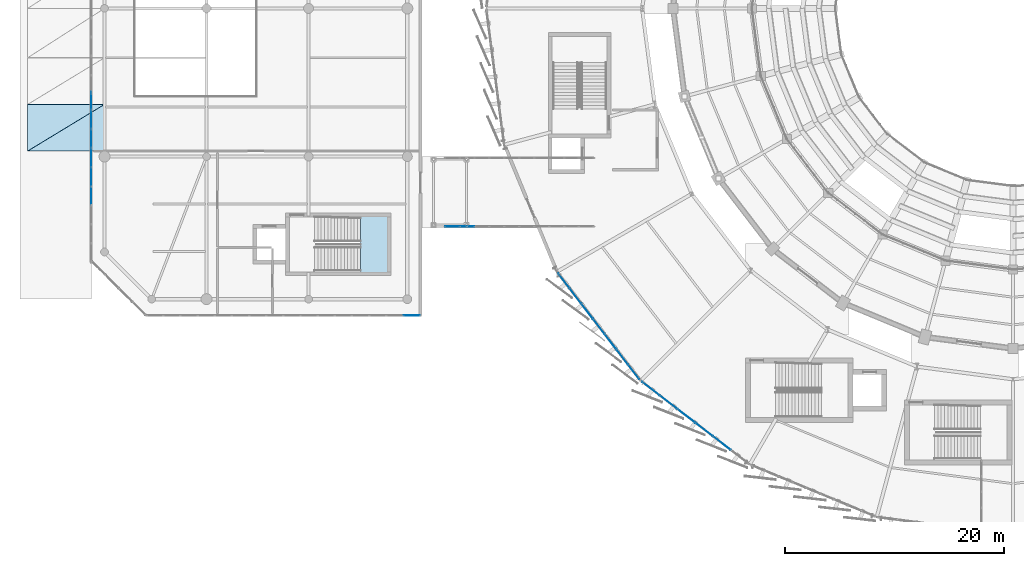
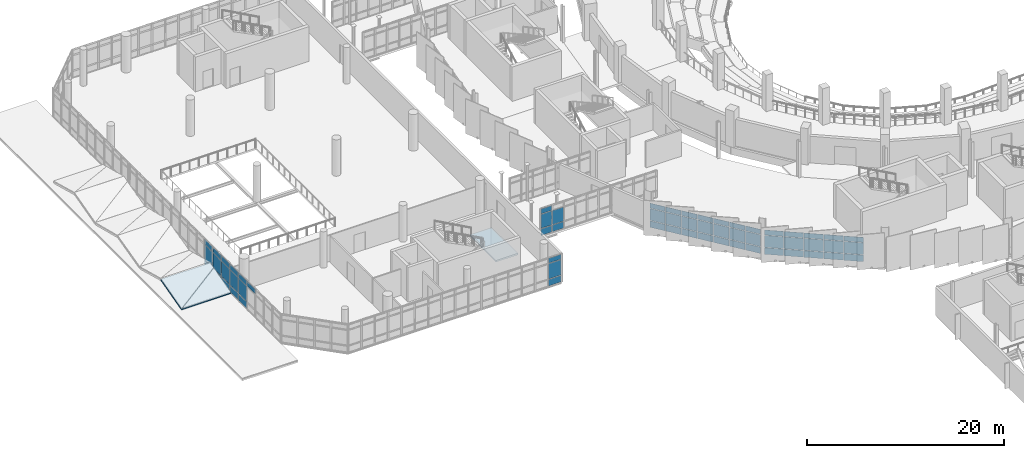
# One storey, part 83 of 134: 60 plates, 3 slabs, 6 elements without a shape of their own.
"""IFC4 building model written with IfcOpenShell, lengths in metres."""

from ifc_helpers import new_model, si_unit, direction, frame, origin, origin_2d, place, context, subcontext, project, spatial, polyline, rectangle, outline, extrude, material, layer, layer_set, type_object, element, aggregate, save


model = new_model("IFC4")

# Units and contexts
model_context = context("Model", 3, precision=1e-05, world=origin(), true_north=direction((0.0, 1.0)))
body_context = subcontext(model_context, "Body", "Model", "MODEL_VIEW")
ifc_project = project(units=[si_unit("LENGTHUNIT", "METRE"), si_unit("AREAUNIT", "SQUARE_METRE"), si_unit("VOLUMEUNIT", "CUBIC_METRE"), si_unit("PLANEANGLEUNIT", "RADIAN"), si_unit("MASSUNIT", "GRAM", prefix="KILO")], contexts=[model_context])

# Site, building, storey
site_placement = place(None, origin())
site = spatial("IfcSite", under=ifc_project, at=site_placement, CompositionType="ELEMENT")
building_placement = place(site_placement, origin())
building = spatial("IfcBuilding", under=site, at=building_placement, Name="Sohan Crest Arena", CompositionType="ELEMENT")
storey_placement = place(building_placement, frame((0.0, 0.0, 4.5)))
storey = spatial("IfcBuildingStorey", under=building, at=storey_placement, Name="L01", CompositionType="ELEMENT", Elevation=4.5)

# Curtain wall, plates
ifc_material_1 = material(Name="Thermally broken anodised aluminium", Category="aluminium")
ifc_layer_1 = layer(ifc_material_1, 0.219970703125, Name="Thermally broken anodised aluminium")
ifc_layer_set_1 = layer_set([ifc_layer_1], Name="Thermally broken anodised aluminium")
curtain_wall_type_1 = type_object("IfcCurtainWallType", Name="ARC-CW03", PredefinedType="NOTDEFINED", material=ifc_layer_set_1)
curtain_wall_1_placement = place(storey_placement, origin())
curtain_wall_1 = element("IfcCurtainWall", 1, at=curtain_wall_1_placement, inside=storey, type_object=curtain_wall_type_1, Name="Unitised curtain wall CW-026", PredefinedType="NOTDEFINED")
ifc_material_2 = material(Name="Low-E double-glazed insulated glass", Category="glass")
ifc_layer_2 = layer(ifc_material_2, 0.028076171875, Name="Low-E double-glazed insulated glass")
ifc_layer_set_2 = layer_set([ifc_layer_2], Name="Low-E double-glazed insulated glass")
plate_type_1 = type_object("IfcPlateType", Name="ARC-CNP01", PredefinedType="CURTAIN_PANEL", material=ifc_layer_set_2)
plate_1_placement = place(storey_placement, frame((57.052734375, 53.189697265625, 0.070068359375), z_axis=(0.0, 0.0, 1.0), x_axis=(0.608765110447, -0.793350515411, 0.0)))
plate_1 = element("IfcPlate", 2, at=plate_1_placement, type_object=plate_type_1, Name="CW-026 panel 1.1", PredefinedType="CURTAIN_PANEL", context=body_context, shape_type="SweptSolid", body=[
    extrude(rectangle(XDim=1.662841796875, YDim=0.028076171875, at=origin_2d()), origin(), (0.0, 0.0, 1.0), 0.794921875),
])
plate_2_placement = place(storey_placement, frame((57.052734375, 53.189697265625, 0.93505859375), z_axis=(0.0, 0.0, 1.0), x_axis=(0.608765110447, -0.793350515411, 0.0)))
plate_2 = element("IfcPlate", 3, at=plate_2_placement, type_object=plate_type_1, Name="CW-026 panel 1.2", PredefinedType="CURTAIN_PANEL", context=body_context, shape_type="SweptSolid", body=[
    extrude(rectangle(XDim=1.662841796875, YDim=0.028076171875, at=origin_2d()), origin(), (0.0, 0.0, 1.0), 1.449951171875),
])
plate_3_placement = place(storey_placement, frame((57.052734375, 53.189697265625, 2.455078125), z_axis=(0.0, 0.0, 1.0), x_axis=(0.608765110447, -0.793350515411, 0.0)))
plate_3 = element("IfcPlate", 4, at=plate_3_placement, type_object=plate_type_1, Name="CW-026 panel 1.3", PredefinedType="CURTAIN_PANEL", context=body_context, shape_type="SweptSolid", body=[
    extrude(rectangle(XDim=1.662841796875, YDim=0.028076171875, at=origin_2d()), origin(), (0.0, 0.0, 1.0), 0.594970703125),
])
plate_4_placement = place(storey_placement, frame((58.110595703125, 51.81103515625, 0.070068359375), z_axis=(0.0, 0.0, 1.0), x_axis=(0.608765110447, -0.793350515411, 0.0)))
plate_4 = element("IfcPlate", 5, at=plate_4_placement, type_object=plate_type_1, Name="CW-026 panel 2.1", PredefinedType="CURTAIN_PANEL", context=body_context, shape_type="SweptSolid", body=[
    extrude(rectangle(XDim=1.69287109375, YDim=0.028076171875, at=origin_2d()), origin(), (0.0, 0.0, 1.0), 0.794921875),
])
plate_5_placement = place(storey_placement, frame((58.110595703125, 51.81103515625, 0.93505859375), z_axis=(0.0, 0.0, 1.0), x_axis=(0.608765110447, -0.793350515411, 0.0)))
plate_5 = element("IfcPlate", 6, at=plate_5_placement, type_object=plate_type_1, Name="CW-026 panel 2.2", PredefinedType="CURTAIN_PANEL", context=body_context, shape_type="SweptSolid", body=[
    extrude(rectangle(XDim=1.69287109375, YDim=0.028076171875, at=origin_2d()), origin(), (0.0, 0.0, 1.0), 1.449951171875),
])
plate_6_placement = place(storey_placement, frame((58.110595703125, 51.81103515625, 2.455078125), z_axis=(0.0, 0.0, 1.0), x_axis=(0.608765110447, -0.793350515411, 0.0)))
plate_6 = element("IfcPlate", 7, at=plate_6_placement, type_object=plate_type_1, Name="CW-026 panel 2.3", PredefinedType="CURTAIN_PANEL", context=body_context, shape_type="SweptSolid", body=[
    extrude(rectangle(XDim=1.69287109375, YDim=0.028076171875, at=origin_2d()), origin(), (0.0, 0.0, 1.0), 0.594970703125),
])
plate_7_placement = place(storey_placement, frame((59.177978515625, 50.420166015625, 0.070068359375), z_axis=(0.0, 0.0, 1.0), x_axis=(0.608765110447, -0.793350515411, 0.0)))
plate_7 = element("IfcPlate", 8, at=plate_7_placement, type_object=plate_type_1, Name="CW-026 panel 3.1", PredefinedType="CURTAIN_PANEL", context=body_context, shape_type="SweptSolid", body=[
    extrude(rectangle(XDim=1.69287109375, YDim=0.028076171875, at=origin_2d()), origin(), (0.0, 0.0, 1.0), 0.794921875),
])
plate_8_placement = place(storey_placement, frame((59.177978515625, 50.420166015625, 0.93505859375), z_axis=(0.0, 0.0, 1.0), x_axis=(0.608765110447, -0.793350515411, 0.0)))
plate_8 = element("IfcPlate", 9, at=plate_8_placement, type_object=plate_type_1, Name="CW-026 panel 3.2", PredefinedType="CURTAIN_PANEL", context=body_context, shape_type="SweptSolid", body=[
    extrude(rectangle(XDim=1.69287109375, YDim=0.028076171875, at=origin_2d()), origin(), (0.0, 0.0, 1.0), 1.449951171875),
])
plate_9_placement = place(storey_placement, frame((59.177978515625, 50.420166015625, 2.455078125), z_axis=(0.0, 0.0, 1.0), x_axis=(0.608765110447, -0.793350515411, 0.0)))
plate_9 = element("IfcPlate", 10, at=plate_9_placement, type_object=plate_type_1, Name="CW-026 panel 3.3", PredefinedType="CURTAIN_PANEL", context=body_context, shape_type="SweptSolid", body=[
    extrude(rectangle(XDim=1.69287109375, YDim=0.028076171875, at=origin_2d()), origin(), (0.0, 0.0, 1.0), 0.594970703125),
])
plate_10_placement = place(storey_placement, frame((60.2451171875, 49.029541015625, 0.070068359375), z_axis=(0.0, 0.0, 1.0), x_axis=(0.608765110447, -0.793350515411, 0.0)))
plate_10 = element("IfcPlate", 11, at=plate_10_placement, type_object=plate_type_1, Name="CW-026 panel 4.1", PredefinedType="CURTAIN_PANEL", context=body_context, shape_type="SweptSolid", body=[
    extrude(rectangle(XDim=1.69287109375, YDim=0.028076171875, at=origin_2d()), origin(), (0.0, 0.0, 1.0), 0.794921875),
])
plate_11_placement = place(storey_placement, frame((60.2451171875, 49.029541015625, 0.93505859375), z_axis=(0.0, 0.0, 1.0), x_axis=(0.608765110447, -0.793350515411, 0.0)))
plate_11 = element("IfcPlate", 12, at=plate_11_placement, type_object=plate_type_1, Name="CW-026 panel 4.2", PredefinedType="CURTAIN_PANEL", context=body_context, shape_type="SweptSolid", body=[
    extrude(rectangle(XDim=1.69287109375, YDim=0.028076171875, at=origin_2d()), origin(), (0.0, 0.0, 1.0), 1.449951171875),
])
plate_12_placement = place(storey_placement, frame((60.2451171875, 49.029541015625, 2.455078125), z_axis=(0.0, 0.0, 1.0), x_axis=(0.608765110447, -0.793350515411, 0.0)))
plate_12 = element("IfcPlate", 13, at=plate_12_placement, type_object=plate_type_1, Name="CW-026 panel 4.3", PredefinedType="CURTAIN_PANEL", context=body_context, shape_type="SweptSolid", body=[
    extrude(rectangle(XDim=1.69287109375, YDim=0.028076171875, at=origin_2d()), origin(), (0.0, 0.0, 1.0), 0.594970703125),
])
plate_13_placement = place(storey_placement, frame((61.312255859375, 47.638671875, 0.070068359375), z_axis=(0.0, 0.0, 1.0), x_axis=(0.608765110447, -0.793350515411, 0.0)))
plate_13 = element("IfcPlate", 14, at=plate_13_placement, type_object=plate_type_1, Name="CW-026 panel 5.1", PredefinedType="CURTAIN_PANEL", context=body_context, shape_type="SweptSolid", body=[
    extrude(rectangle(XDim=1.69287109375, YDim=0.028076171875, at=origin_2d()), origin(), (0.0, 0.0, 1.0), 0.794921875),
])
plate_14_placement = place(storey_placement, frame((61.312255859375, 47.638671875, 0.93505859375), z_axis=(0.0, 0.0, 1.0), x_axis=(0.608765110447, -0.793350515411, 0.0)))
plate_14 = element("IfcPlate", 15, at=plate_14_placement, type_object=plate_type_1, Name="CW-026 panel 5.2", PredefinedType="CURTAIN_PANEL", context=body_context, shape_type="SweptSolid", body=[
    extrude(rectangle(XDim=1.69287109375, YDim=0.028076171875, at=origin_2d()), origin(), (0.0, 0.0, 1.0), 1.449951171875),
])
plate_15_placement = place(storey_placement, frame((61.312255859375, 47.638671875, 2.455078125), z_axis=(0.0, 0.0, 1.0), x_axis=(0.608765110447, -0.793350515411, 0.0)))
plate_15 = element("IfcPlate", 16, at=plate_15_placement, type_object=plate_type_1, Name="CW-026 panel 5.3", PredefinedType="CURTAIN_PANEL", context=body_context, shape_type="SweptSolid", body=[
    extrude(rectangle(XDim=1.69287109375, YDim=0.028076171875, at=origin_2d()), origin(), (0.0, 0.0, 1.0), 0.594970703125),
])
plate_16_placement = place(storey_placement, frame((62.37939453125, 46.248046875, 0.070068359375), z_axis=(0.0, 0.0, 1.0), x_axis=(0.608765110447, -0.793350515411, 0.0)))
plate_16 = element("IfcPlate", 17, at=plate_16_placement, type_object=plate_type_1, Name="CW-026 panel 6.1", PredefinedType="CURTAIN_PANEL", context=body_context, shape_type="SweptSolid", body=[
    extrude(rectangle(XDim=1.69287109375, YDim=0.028076171875, at=origin_2d()), origin(), (0.0, 0.0, 1.0), 0.794921875),
])
plate_17_placement = place(storey_placement, frame((62.37939453125, 46.248046875, 0.93505859375), z_axis=(0.0, 0.0, 1.0), x_axis=(0.608765110447, -0.793350515411, 0.0)))
plate_17 = element("IfcPlate", 18, at=plate_17_placement, type_object=plate_type_1, Name="CW-026 panel 6.2", PredefinedType="CURTAIN_PANEL", context=body_context, shape_type="SweptSolid", body=[
    extrude(rectangle(XDim=1.69287109375, YDim=0.028076171875, at=origin_2d()), origin(), (0.0, 0.0, 1.0), 1.449951171875),
])
plate_18_placement = place(storey_placement, frame((62.37939453125, 46.248046875, 2.455078125), z_axis=(0.0, 0.0, 1.0), x_axis=(0.608765110447, -0.793350515411, 0.0)))
plate_18 = element("IfcPlate", 19, at=plate_18_placement, type_object=plate_type_1, Name="CW-026 panel 6.3", PredefinedType="CURTAIN_PANEL", context=body_context, shape_type="SweptSolid", body=[
    extrude(rectangle(XDim=1.69287109375, YDim=0.028076171875, at=origin_2d()), origin(), (0.0, 0.0, 1.0), 0.594970703125),
])
plate_19_placement = place(storey_placement, frame((63.437255859375, 44.869140625, 0.070068359375), z_axis=(0.0, 0.0, 1.0), x_axis=(0.608765110447, -0.793350515411, 0.0)))
plate_19 = element("IfcPlate", 20, at=plate_19_placement, type_object=plate_type_1, Name="CW-026 panel 7.1", PredefinedType="CURTAIN_PANEL", context=body_context, shape_type="SweptSolid", body=[
    extrude(rectangle(XDim=1.662841796875, YDim=0.028076171875, at=origin_2d()), origin(), (0.0, 0.0, 1.0), 0.794921875),
])
plate_20_placement = place(storey_placement, frame((63.437255859375, 44.869140625, 0.93505859375), z_axis=(0.0, 0.0, 1.0), x_axis=(0.608765110447, -0.793350515411, 0.0)))
plate_20 = element("IfcPlate", 21, at=plate_20_placement, type_object=plate_type_1, Name="CW-026 panel 7.2", PredefinedType="CURTAIN_PANEL", context=body_context, shape_type="SweptSolid", body=[
    extrude(rectangle(XDim=1.662841796875, YDim=0.028076171875, at=origin_2d()), origin(), (0.0, 0.0, 1.0), 1.449951171875),
])
plate_21_placement = place(storey_placement, frame((63.437255859375, 44.869140625, 2.455078125), z_axis=(0.0, 0.0, 1.0), x_axis=(0.608765110447, -0.793350515411, 0.0)))
plate_21 = element("IfcPlate", 22, at=plate_21_placement, type_object=plate_type_1, Name="CW-026 panel 7.3", PredefinedType="CURTAIN_PANEL", context=body_context, shape_type="SweptSolid", body=[
    extrude(rectangle(XDim=1.662841796875, YDim=0.028076171875, at=origin_2d()), origin(), (0.0, 0.0, 1.0), 0.594970703125),
])
aggregate(curtain_wall_1, [plate_1, plate_2, plate_3, plate_4, plate_5, plate_6, plate_7, plate_8, plate_9, plate_10, plate_11, plate_12, plate_13, plate_14, plate_15, plate_16, plate_17, plate_18, plate_19, plate_20, plate_21])

ifc_layer_3 = layer(ifc_material_1, 0.199951171875, Name="Thermally broken anodised aluminium")
ifc_layer_set_3 = layer_set([ifc_layer_3], Name="Thermally broken anodised aluminium")
curtain_wall_type_2 = type_object("IfcCurtainWallType", Name="ARC-CW02", PredefinedType="NOTDEFINED", material=ifc_layer_set_3)
curtain_wall_2_placement = place(storey_placement, origin())
curtain_wall_2 = element("IfcCurtainWall", 23, at=curtain_wall_2_placement, inside=storey, type_object=curtain_wall_type_2, Name="Unitised curtain wall CW-206", PredefinedType="NOTDEFINED")
plate_22_placement = place(storey_placement, frame((43.202392578125, 50.0, 0.06005859375), z_axis=(0.0, 0.0, 1.0), x_axis=(1.0, 0.0, 0.0)))
plate_22 = element("IfcPlate", 24, at=plate_22_placement, type_object=plate_type_1, Name="CW-206 panel 16.1", PredefinedType="CURTAIN_PANEL", context=body_context, shape_type="SweptSolid", body=[
    extrude(rectangle(XDim=1.465087890625, YDim=0.028076171875, at=origin_2d()), origin(), (0.0, 0.0, 1.0), 0.81005859375),
])
plate_23_placement = place(storey_placement, frame((43.202392578125, 50.0, 0.93017578125), z_axis=(0.0, 0.0, 1.0), x_axis=(1.0, 0.0, 0.0)))
plate_23 = element("IfcPlate", 25, at=plate_23_placement, type_object=plate_type_1, Name="CW-206 panel 16.2", PredefinedType="CURTAIN_PANEL", context=body_context, shape_type="SweptSolid", body=[
    extrude(rectangle(XDim=1.465087890625, YDim=0.028076171875, at=origin_2d()), origin(), (0.0, 0.0, 1.0), 1.889892578125),
])
plate_24_placement = place(storey_placement, frame((43.202392578125, 50.0, 2.8798828125), z_axis=(0.0, 0.0, 1.0), x_axis=(1.0, 0.0, 0.0)))
plate_24 = element("IfcPlate", 26, at=plate_24_placement, type_object=plate_type_1, Name="CW-206 panel 16.3", PredefinedType="CURTAIN_PANEL", context=body_context, shape_type="SweptSolid", body=[
    extrude(rectangle(XDim=1.465087890625, YDim=0.028076171875, at=origin_2d()), origin(), (0.0, 0.0, 1.0), 0.610107421875),
])
aggregate(curtain_wall_2, [plate_22, plate_23, plate_24])

curtain_wall_3_placement = place(storey_placement, origin())
curtain_wall_3 = element("IfcCurtainWall", 27, at=curtain_wall_3_placement, inside=storey, type_object=curtain_wall_type_1, Name="Unitised curtain wall CW-211", PredefinedType="NOTDEFINED")
plate_25_placement = place(storey_placement, frame((14.0, 69.596923828125, 0.06494140625), z_axis=(0.0, 0.0, 1.0), x_axis=(0.0, -1.0, 0.0)))
plate_25 = element("IfcPlate", 28, at=plate_25_placement, type_object=plate_type_1, Name="CW-211 panel 1.1", PredefinedType="CURTAIN_PANEL", context=body_context, shape_type="SweptSolid", body=[
    extrude(rectangle(XDim=1.632080078125, YDim=0.028076171875, at=origin_2d()), origin(), (0.0, 0.0, 1.0), 0.802490234375),
])
plate_26_placement = place(storey_placement, frame((14.0, 69.596923828125, 0.9326171875), z_axis=(0.0, 0.0, 1.0), x_axis=(0.0, -1.0, 0.0)))
plate_26 = element("IfcPlate", 29, at=plate_26_placement, type_object=plate_type_1, Name="CW-211 panel 1.2", PredefinedType="CURTAIN_PANEL", context=body_context, shape_type="SweptSolid", body=[
    extrude(rectangle(XDim=1.632080078125, YDim=0.028076171875, at=origin_2d()), origin(), (0.0, 0.0, 1.0), 1.885009765625),
])
plate_27_placement = place(storey_placement, frame((14.0, 69.596923828125, 2.882568359375), z_axis=(0.0, 0.0, 1.0), x_axis=(0.0, -1.0, 0.0)))
plate_27 = element("IfcPlate", 30, at=plate_27_placement, type_object=plate_type_1, Name="CW-211 panel 1.3", PredefinedType="CURTAIN_PANEL", context=body_context, shape_type="SweptSolid", body=[
    extrude(rectangle(XDim=1.632080078125, YDim=0.028076171875, at=origin_2d()), origin(), (0.0, 0.0, 1.0), 0.6025390625),
])
plate_28_placement = place(storey_placement, frame((14.0, 67.87744140625, 0.06494140625), z_axis=(0.0, 0.0, 1.0), x_axis=(0.0, -1.0, 0.0)))
plate_28 = element("IfcPlate", 31, at=plate_28_placement, type_object=plate_type_1, Name="CW-211 panel 2.1", PredefinedType="CURTAIN_PANEL", context=body_context, shape_type="SweptSolid", body=[
    extrude(rectangle(XDim=1.6669921875, YDim=0.028076171875, at=origin_2d()), origin(), (0.0, 0.0, 1.0), 0.802490234375),
])
plate_29_placement = place(storey_placement, frame((14.0, 67.87744140625, 0.9326171875), z_axis=(0.0, 0.0, 1.0), x_axis=(0.0, -1.0, 0.0)))
plate_29 = element("IfcPlate", 32, at=plate_29_placement, type_object=plate_type_1, Name="CW-211 panel 2.2", PredefinedType="CURTAIN_PANEL", context=body_context, shape_type="SweptSolid", body=[
    extrude(rectangle(XDim=1.6669921875, YDim=0.028076171875, at=origin_2d()), origin(), (0.0, 0.0, 1.0), 1.885009765625),
])
plate_30_placement = place(storey_placement, frame((14.0, 67.87744140625, 2.882568359375), z_axis=(0.0, 0.0, 1.0), x_axis=(0.0, -1.0, 0.0)))
plate_30 = element("IfcPlate", 33, at=plate_30_placement, type_object=plate_type_1, Name="CW-211 panel 2.3", PredefinedType="CURTAIN_PANEL", context=body_context, shape_type="SweptSolid", body=[
    extrude(rectangle(XDim=1.6669921875, YDim=0.028076171875, at=origin_2d()), origin(), (0.0, 0.0, 1.0), 0.6025390625),
])
plate_31_placement = place(storey_placement, frame((14.0, 66.140380859375, 0.06494140625), z_axis=(0.0, 0.0, 1.0), x_axis=(0.0, -1.0, 0.0)))
plate_31 = element("IfcPlate", 34, at=plate_31_placement, type_object=plate_type_1, Name="CW-211 panel 3.1", PredefinedType="CURTAIN_PANEL", context=body_context, shape_type="SweptSolid", body=[
    extrude(rectangle(XDim=1.6669921875, YDim=0.028076171875, at=origin_2d()), origin(), (0.0, 0.0, 1.0), 0.802490234375),
])
plate_32_placement = place(storey_placement, frame((14.0, 66.140380859375, 0.9326171875), z_axis=(0.0, 0.0, 1.0), x_axis=(0.0, -1.0, 0.0)))
plate_32 = element("IfcPlate", 35, at=plate_32_placement, type_object=plate_type_1, Name="CW-211 panel 3.2", PredefinedType="CURTAIN_PANEL", context=body_context, shape_type="SweptSolid", body=[
    extrude(rectangle(XDim=1.6669921875, YDim=0.028076171875, at=origin_2d()), origin(), (0.0, 0.0, 1.0), 1.885009765625),
])
plate_33_placement = place(storey_placement, frame((14.0, 66.140380859375, 2.882568359375), z_axis=(0.0, 0.0, 1.0), x_axis=(0.0, -1.0, 0.0)))
plate_33 = element("IfcPlate", 36, at=plate_33_placement, type_object=plate_type_1, Name="CW-211 panel 3.3", PredefinedType="CURTAIN_PANEL", context=body_context, shape_type="SweptSolid", body=[
    extrude(rectangle(XDim=1.6669921875, YDim=0.028076171875, at=origin_2d()), origin(), (0.0, 0.0, 1.0), 0.6025390625),
])
plate_34_placement = place(storey_placement, frame((14.0, 64.403564453125, 0.06494140625), z_axis=(0.0, 0.0, 1.0), x_axis=(0.0, -1.0, 0.0)))
plate_34 = element("IfcPlate", 37, at=plate_34_placement, type_object=plate_type_1, Name="CW-211 panel 4.1", PredefinedType="CURTAIN_PANEL", context=body_context, shape_type="SweptSolid", body=[
    extrude(rectangle(XDim=1.6669921875, YDim=0.028076171875, at=origin_2d()), origin(), (0.0, 0.0, 1.0), 0.802490234375),
])
plate_35_placement = place(storey_placement, frame((14.0, 64.403564453125, 0.9326171875), z_axis=(0.0, 0.0, 1.0), x_axis=(0.0, -1.0, 0.0)))
plate_35 = element("IfcPlate", 38, at=plate_35_placement, type_object=plate_type_1, Name="CW-211 panel 4.2", PredefinedType="CURTAIN_PANEL", context=body_context, shape_type="SweptSolid", body=[
    extrude(rectangle(XDim=1.6669921875, YDim=0.028076171875, at=origin_2d()), origin(), (0.0, 0.0, 1.0), 1.885009765625),
])
plate_36_placement = place(storey_placement, frame((14.0, 64.403564453125, 2.882568359375), z_axis=(0.0, 0.0, 1.0), x_axis=(0.0, -1.0, 0.0)))
plate_36 = element("IfcPlate", 39, at=plate_36_placement, type_object=plate_type_1, Name="CW-211 panel 4.3", PredefinedType="CURTAIN_PANEL", context=body_context, shape_type="SweptSolid", body=[
    extrude(rectangle(XDim=1.6669921875, YDim=0.028076171875, at=origin_2d()), origin(), (0.0, 0.0, 1.0), 0.6025390625),
])
plate_37_placement = place(storey_placement, frame((14.0, 62.66650390625, 0.06494140625), z_axis=(0.0, 0.0, 1.0), x_axis=(0.0, -1.0, 0.0)))
plate_37 = element("IfcPlate", 40, at=plate_37_placement, type_object=plate_type_1, Name="CW-211 panel 5.1", PredefinedType="CURTAIN_PANEL", context=body_context, shape_type="SweptSolid", body=[
    extrude(rectangle(XDim=1.6669921875, YDim=0.028076171875, at=origin_2d()), origin(), (0.0, 0.0, 1.0), 0.802490234375),
])
plate_38_placement = place(storey_placement, frame((14.0, 62.66650390625, 0.9326171875), z_axis=(0.0, 0.0, 1.0), x_axis=(0.0, -1.0, 0.0)))
plate_38 = element("IfcPlate", 41, at=plate_38_placement, type_object=plate_type_1, Name="CW-211 panel 5.2", PredefinedType="CURTAIN_PANEL", context=body_context, shape_type="SweptSolid", body=[
    extrude(rectangle(XDim=1.6669921875, YDim=0.028076171875, at=origin_2d()), origin(), (0.0, 0.0, 1.0), 1.885009765625),
])
plate_39_placement = place(storey_placement, frame((14.0, 62.66650390625, 2.882568359375), z_axis=(0.0, 0.0, 1.0), x_axis=(0.0, -1.0, 0.0)))
plate_39 = element("IfcPlate", 42, at=plate_39_placement, type_object=plate_type_1, Name="CW-211 panel 5.3", PredefinedType="CURTAIN_PANEL", context=body_context, shape_type="SweptSolid", body=[
    extrude(rectangle(XDim=1.6669921875, YDim=0.028076171875, at=origin_2d()), origin(), (0.0, 0.0, 1.0), 0.6025390625),
])
plate_40_placement = place(storey_placement, frame((14.0, 60.929443359375, 2.882568359375), z_axis=(0.0, 0.0, 1.0), x_axis=(0.0, -1.0, 0.0)))
plate_40 = element("IfcPlate", 43, at=plate_40_placement, type_object=plate_type_1, Name="CW-211 panel 6.3", PredefinedType="CURTAIN_PANEL", context=body_context, shape_type="SweptSolid", body=[
    extrude(rectangle(XDim=1.6669921875, YDim=0.028076171875, at=origin_2d()), origin(), (0.0, 0.0, 1.0), 0.6025390625),
])
aggregate(curtain_wall_3, [plate_25, plate_26, plate_27, plate_28, plate_29, plate_30, plate_31, plate_32, plate_33, plate_34, plate_35, plate_36, plate_37, plate_38, plate_39, plate_40])

ifc_layer_4 = layer(ifc_material_1, 0.18994140625, Name="Thermally broken anodised aluminium")
ifc_layer_set_4 = layer_set([ifc_layer_4], Name="Thermally broken anodised aluminium")
curtain_wall_type_3 = type_object("IfcCurtainWallType", Name="ARC-CW05", PredefinedType="NOTDEFINED", material=ifc_layer_set_4)
curtain_wall_4_placement = place(storey_placement, origin())
curtain_wall_4 = element("IfcCurtainWall", 44, at=curtain_wall_4_placement, inside=storey, type_object=curtain_wall_type_3, Name="Unitised curtain wall CW-225", PredefinedType="NOTDEFINED")
plate_41_placement = place(storey_placement, frame((46.896240234375, 58.1201171875, 0.06005859375), z_axis=(0.0, 0.0, 1.0), x_axis=(1.0, 0.0, 0.0)))
plate_41 = element("IfcPlate", 45, at=plate_41_placement, type_object=plate_type_1, Name="CW-225 panel 1.1", PredefinedType="CURTAIN_PANEL", context=body_context, shape_type="SweptSolid", body=[
    extrude(rectangle(XDim=1.262451171875, YDim=0.028076171875, at=origin_2d()), origin(), (0.0, 0.0, 1.0), 0.81005859375),
])
plate_42_placement = place(storey_placement, frame((46.896240234375, 58.1201171875, 0.93017578125), z_axis=(0.0, 0.0, 1.0), x_axis=(1.0, 0.0, 0.0)))
plate_42 = element("IfcPlate", 46, at=plate_42_placement, type_object=plate_type_1, Name="CW-225 panel 1.2", PredefinedType="CURTAIN_PANEL", context=body_context, shape_type="SweptSolid", body=[
    extrude(rectangle(XDim=1.262451171875, YDim=0.028076171875, at=origin_2d()), origin(), (0.0, 0.0, 1.0), 1.739990234375),
])
plate_43_placement = place(storey_placement, frame((46.896240234375, 58.1201171875, 2.72998046875), z_axis=(0.0, 0.0, 1.0), x_axis=(1.0, 0.0, 0.0)))
plate_43 = element("IfcPlate", 47, at=plate_43_placement, type_object=plate_type_1, Name="CW-225 panel 1.3", PredefinedType="CURTAIN_PANEL", context=body_context, shape_type="SweptSolid", body=[
    extrude(rectangle(XDim=1.262451171875, YDim=0.028076171875, at=origin_2d()), origin(), (0.0, 0.0, 1.0), 0.610107421875),
])
plate_44_placement = place(storey_placement, frame((48.239990234375, 58.1201171875, 0.06005859375), z_axis=(0.0, 0.0, 1.0), x_axis=(1.0, 0.0, 0.0)))
plate_44 = element("IfcPlate", 48, at=plate_44_placement, type_object=plate_type_1, Name="CW-225 panel 2.1", PredefinedType="CURTAIN_PANEL", context=body_context, shape_type="SweptSolid", body=[
    extrude(rectangle(XDim=1.294921875, YDim=0.028076171875, at=origin_2d()), origin(), (0.0, 0.0, 1.0), 0.81005859375),
])
plate_45_placement = place(storey_placement, frame((48.239990234375, 58.1201171875, 0.93017578125), z_axis=(0.0, 0.0, 1.0), x_axis=(1.0, 0.0, 0.0)))
plate_45 = element("IfcPlate", 49, at=plate_45_placement, type_object=plate_type_1, Name="CW-225 panel 2.2", PredefinedType="CURTAIN_PANEL", context=body_context, shape_type="SweptSolid", body=[
    extrude(rectangle(XDim=1.294921875, YDim=0.028076171875, at=origin_2d()), origin(), (0.0, 0.0, 1.0), 1.739990234375),
])
aggregate(curtain_wall_4, [plate_41, plate_42, plate_43, plate_44, plate_45])

ifc_layer_5 = layer(ifc_material_1, 0.239990234375, Name="Thermally broken anodised aluminium")
ifc_layer_set_5 = layer_set([ifc_layer_5], Name="Thermally broken anodised aluminium")
curtain_wall_type_4 = type_object("IfcCurtainWallType", Name="ARC-CW04", PredefinedType="NOTDEFINED", material=ifc_layer_set_5)
curtain_wall_5_placement = place(storey_placement, origin())
curtain_wall_5 = element("IfcCurtainWall", 50, at=curtain_wall_5_placement, inside=storey, type_object=curtain_wall_type_4, Name="Unitised curtain wall CW-027", PredefinedType="NOTDEFINED")
ifc_layer_6 = layer(ifc_material_2, 0.031982421875, Name="Low-E double-glazed insulated glass")
ifc_layer_set_6 = layer_set([ifc_layer_6], Name="Low-E double-glazed insulated glass")
plate_type_2 = type_object("IfcPlateType", Name="ARC-CNP02", PredefinedType="CURTAIN_PANEL", material=ifc_layer_set_6)
plate_46_placement = place(storey_placement, frame((64.986083984375, 43.34765625, 0.06005859375), z_axis=(0.0, 0.0, 1.0), x_axis=(0.793350515411, -0.608765110447, 0.0)))
plate_46 = element("IfcPlate", 51, at=plate_46_placement, type_object=plate_type_2, Name="CW-027 panel 1.1", PredefinedType="CURTAIN_PANEL", context=body_context, shape_type="SweptSolid", body=[
    extrude(rectangle(XDim=1.947509765625, YDim=0.031982421875, at=origin_2d()), origin(), (0.0, 0.0, 1.0), 0.81005859375),
])
plate_47_placement = place(storey_placement, frame((64.986083984375, 43.34765625, 0.929931640625), z_axis=(0.0, 0.0, 1.0), x_axis=(0.793350515411, -0.608765110447, 0.0)))
plate_47 = element("IfcPlate", 52, at=plate_47_placement, type_object=plate_type_2, Name="CW-027 panel 1.2", PredefinedType="CURTAIN_PANEL", context=body_context, shape_type="SweptSolid", body=[
    extrude(rectangle(XDim=1.947509765625, YDim=0.031982421875, at=origin_2d()), origin(), (0.0, 0.0, 1.0), 1.4599609375),
])
plate_48_placement = place(storey_placement, frame((64.986083984375, 43.34765625, 2.44970703125), z_axis=(0.0, 0.0, 1.0), x_axis=(0.793350515411, -0.608765110447, 0.0)))
plate_48 = element("IfcPlate", 53, at=plate_48_placement, type_object=plate_type_2, Name="CW-027 panel 1.3", PredefinedType="CURTAIN_PANEL", context=body_context, shape_type="SweptSolid", body=[
    extrude(rectangle(XDim=1.947509765625, YDim=0.031982421875, at=origin_2d()), origin(), (0.0, 0.0, 1.0), 0.610107421875),
])
plate_49_placement = place(storey_placement, frame((66.595703125, 42.112548828125, 0.06005859375), z_axis=(0.0, 0.0, 1.0), x_axis=(0.793350515411, -0.608765110447, 0.0)))
plate_49 = element("IfcPlate", 54, at=plate_49_placement, type_object=plate_type_2, Name="CW-027 panel 2.1", PredefinedType="CURTAIN_PANEL", context=body_context, shape_type="SweptSolid", body=[
    extrude(rectangle(XDim=1.980224609375, YDim=0.031982421875, at=origin_2d()), origin(), (0.0, 0.0, 1.0), 0.81005859375),
])
plate_50_placement = place(storey_placement, frame((66.595703125, 42.112548828125, 0.929931640625), z_axis=(0.0, 0.0, 1.0), x_axis=(0.793350515411, -0.608765110447, 0.0)))
plate_50 = element("IfcPlate", 55, at=plate_50_placement, type_object=plate_type_2, Name="CW-027 panel 2.2", PredefinedType="CURTAIN_PANEL", context=body_context, shape_type="SweptSolid", body=[
    extrude(rectangle(XDim=1.980224609375, YDim=0.031982421875, at=origin_2d()), origin(), (0.0, 0.0, 1.0), 1.4599609375),
])
plate_51_placement = place(storey_placement, frame((66.595703125, 42.112548828125, 2.44970703125), z_axis=(0.0, 0.0, 1.0), x_axis=(0.793350515411, -0.608765110447, 0.0)))
plate_51 = element("IfcPlate", 56, at=plate_51_placement, type_object=plate_type_2, Name="CW-027 panel 2.3", PredefinedType="CURTAIN_PANEL", context=body_context, shape_type="SweptSolid", body=[
    extrude(rectangle(XDim=1.980224609375, YDim=0.031982421875, at=origin_2d()), origin(), (0.0, 0.0, 1.0), 0.610107421875),
])
plate_52_placement = place(storey_placement, frame((68.21826171875, 40.867431640625, 0.06005859375), z_axis=(0.0, 0.0, 1.0), x_axis=(0.793350515411, -0.608765110447, 0.0)))
plate_52 = element("IfcPlate", 57, at=plate_52_placement, type_object=plate_type_2, Name="CW-027 panel 3.1", PredefinedType="CURTAIN_PANEL", context=body_context, shape_type="SweptSolid", body=[
    extrude(rectangle(XDim=1.980224609375, YDim=0.031982421875, at=origin_2d()), origin(), (0.0, 0.0, 1.0), 0.81005859375),
])
plate_53_placement = place(storey_placement, frame((68.21826171875, 40.867431640625, 0.929931640625), z_axis=(0.0, 0.0, 1.0), x_axis=(0.793350515411, -0.608765110447, 0.0)))
plate_53 = element("IfcPlate", 58, at=plate_53_placement, type_object=plate_type_2, Name="CW-027 panel 3.2", PredefinedType="CURTAIN_PANEL", context=body_context, shape_type="SweptSolid", body=[
    extrude(rectangle(XDim=1.980224609375, YDim=0.031982421875, at=origin_2d()), origin(), (0.0, 0.0, 1.0), 1.4599609375),
])
plate_54_placement = place(storey_placement, frame((68.21826171875, 40.867431640625, 2.44970703125), z_axis=(0.0, 0.0, 1.0), x_axis=(0.793350515411, -0.608765110447, 0.0)))
plate_54 = element("IfcPlate", 59, at=plate_54_placement, type_object=plate_type_2, Name="CW-027 panel 3.3", PredefinedType="CURTAIN_PANEL", context=body_context, shape_type="SweptSolid", body=[
    extrude(rectangle(XDim=1.980224609375, YDim=0.031982421875, at=origin_2d()), origin(), (0.0, 0.0, 1.0), 0.610107421875),
])
plate_55_placement = place(storey_placement, frame((69.8408203125, 39.62255859375, 0.06005859375), z_axis=(0.0, 0.0, 1.0), x_axis=(0.793350515411, -0.608765110447, 0.0)))
plate_55 = element("IfcPlate", 60, at=plate_55_placement, type_object=plate_type_2, Name="CW-027 panel 4.1", PredefinedType="CURTAIN_PANEL", context=body_context, shape_type="SweptSolid", body=[
    extrude(rectangle(XDim=1.980224609375, YDim=0.031982421875, at=origin_2d()), origin(), (0.0, 0.0, 1.0), 0.81005859375),
])
plate_56_placement = place(storey_placement, frame((69.8408203125, 39.62255859375, 0.929931640625), z_axis=(0.0, 0.0, 1.0), x_axis=(0.793350515411, -0.608765110447, 0.0)))
plate_56 = element("IfcPlate", 61, at=plate_56_placement, type_object=plate_type_2, Name="CW-027 panel 4.2", PredefinedType="CURTAIN_PANEL", context=body_context, shape_type="SweptSolid", body=[
    extrude(rectangle(XDim=1.980224609375, YDim=0.031982421875, at=origin_2d()), origin(), (0.0, 0.0, 1.0), 1.4599609375),
])
plate_57_placement = place(storey_placement, frame((69.8408203125, 39.62255859375, 2.44970703125), z_axis=(0.0, 0.0, 1.0), x_axis=(0.793350515411, -0.608765110447, 0.0)))
plate_57 = element("IfcPlate", 62, at=plate_57_placement, type_object=plate_type_2, Name="CW-027 panel 4.3", PredefinedType="CURTAIN_PANEL", context=body_context, shape_type="SweptSolid", body=[
    extrude(rectangle(XDim=1.980224609375, YDim=0.031982421875, at=origin_2d()), origin(), (0.0, 0.0, 1.0), 0.610107421875),
])
plate_58_placement = place(storey_placement, frame((71.463134765625, 38.37744140625, 0.06005859375), z_axis=(0.0, 0.0, 1.0), x_axis=(0.793350515411, -0.608765110447, 0.0)))
plate_58 = element("IfcPlate", 63, at=plate_58_placement, type_object=plate_type_2, Name="CW-027 panel 5.1", PredefinedType="CURTAIN_PANEL", context=body_context, shape_type="SweptSolid", body=[
    extrude(rectangle(XDim=1.980224609375, YDim=0.031982421875, at=origin_2d()), origin(), (0.0, 0.0, 1.0), 0.81005859375),
])
plate_59_placement = place(storey_placement, frame((71.463134765625, 38.37744140625, 0.929931640625), z_axis=(0.0, 0.0, 1.0), x_axis=(0.793350515411, -0.608765110447, 0.0)))
plate_59 = element("IfcPlate", 64, at=plate_59_placement, type_object=plate_type_2, Name="CW-027 panel 5.2", PredefinedType="CURTAIN_PANEL", context=body_context, shape_type="SweptSolid", body=[
    extrude(rectangle(XDim=1.980224609375, YDim=0.031982421875, at=origin_2d()), origin(), (0.0, 0.0, 1.0), 1.4599609375),
])
plate_60_placement = place(storey_placement, frame((71.463134765625, 38.37744140625, 2.44970703125), z_axis=(0.0, 0.0, 1.0), x_axis=(0.793350515411, -0.608765110447, 0.0)))
plate_60 = element("IfcPlate", 65, at=plate_60_placement, type_object=plate_type_2, Name="CW-027 panel 5.3", PredefinedType="CURTAIN_PANEL", context=body_context, shape_type="SweptSolid", body=[
    extrude(rectangle(XDim=1.980224609375, YDim=0.031982421875, at=origin_2d()), origin(), (0.0, 0.0, 1.0), 0.610107421875),
])
aggregate(curtain_wall_5, [plate_46, plate_47, plate_48, plate_49, plate_50, plate_51, plate_52, plate_53, plate_54, plate_55, plate_56, plate_57, plate_58, plate_59, plate_60])

# Stair, slab
ifc_material_3 = material(Name="Concrete C40/50", Category="concrete")
stair_type = type_object("IfcStairType", Name="ST-450W", PredefinedType="TWO_STRAIGHT_RUN_STAIR", material=ifc_material_3)
stair_placement = place(storey_placement, origin())
stair = element("IfcStair", 66, at=stair_placement, inside=storey, type_object=stair_type, Name="Protected exit stair ST13-L01", PredefinedType="TWO_STRAIGHT_RUN_STAIR")
ifc_layer_7 = layer(ifc_material_3, 0.199951171875, Name="Concrete C40/50")
ifc_layer_set_7 = layer_set([ifc_layer_7], Name="Concrete C40/50")
slab_type_1 = type_object("IfcSlabType", Name="SL-LND1", PredefinedType="LANDING", material=ifc_layer_set_7)
slab_1_placement = place(storey_placement, frame((0.0, 0.0, 2.050048828125)))
slab_1 = element("IfcSlab", 67, at=slab_1_placement, type_object=slab_type_1, Name="ST13-L01 landing 1", PredefinedType="LANDING", context=body_context, shape_type="SweptSolid", body=[
    extrude(outline(polyline([(38.530029296875, 53.85009765625), (41.10009765625, 53.85009765625), (41.10009765625, 59.14990234375), (38.530029296875, 59.14990234375), (38.530029296875, 53.85009765625)])), origin(), (0.0, 0.0, 1.0), 0.199951171875),
])
aggregate(stair, [slab_1])

# Slabs
ifc_layer_8 = layer(ifc_material_3, 0.175048828125, Name="Concrete C40/50")
ifc_layer_set_8 = layer_set([ifc_layer_8], Name="Concrete C40/50")
slab_type_2 = type_object("IfcSlabType", Name="SL-RF01", PredefinedType="ROOF", material=ifc_layer_set_8)
slab_2_placement = place(storey_placement, frame((8.208984375, 65.0029296875, 0.0859375), z_axis=(0.0, -0.259620573011, 0.965710701023), x_axis=(1.0, 0.0, 0.0)))
element("IfcSlab", 68, at=slab_2_placement, inside=storey, type_object=slab_type_2, Name="Sloped roof deck panel RF-SL-125", PredefinedType="ROOF", context=body_context, shape_type="SweptSolid", body=[
    extrude(outline(polyline([(0.0, 0.0), (6.986083984375, 0.0), (6.986083984375, 4.391549966656217), (0.0, 0.0)])), origin(), (0.0, 0.0, -1.0), 0.175048828125),
])
slab_3_placement = place(storey_placement, frame((8.205078125, 65.006103515625, 0.0859375), z_axis=(0.0, -0.259620573011, 0.965710701023), x_axis=(0.84661194233, 0.513961559034, 0.138172844436)))
element("IfcSlab", 69, at=slab_3_placement, inside=storey, type_object=slab_type_2, Name="Sloped roof deck panel RF-SL-126", PredefinedType="ROOF", context=body_context, shape_type="SweptSolid", body=[
    extrude(outline(polyline([(0.0, 0.0), (8.251525279132535, 1.1102230246251565e-16), (2.3372298402103038, 3.7179386471092735), (0.0, 0.0)])), origin(), (0.0, 0.0, -1.0), 0.175048828125),
])

save(model, "model.ifc")
